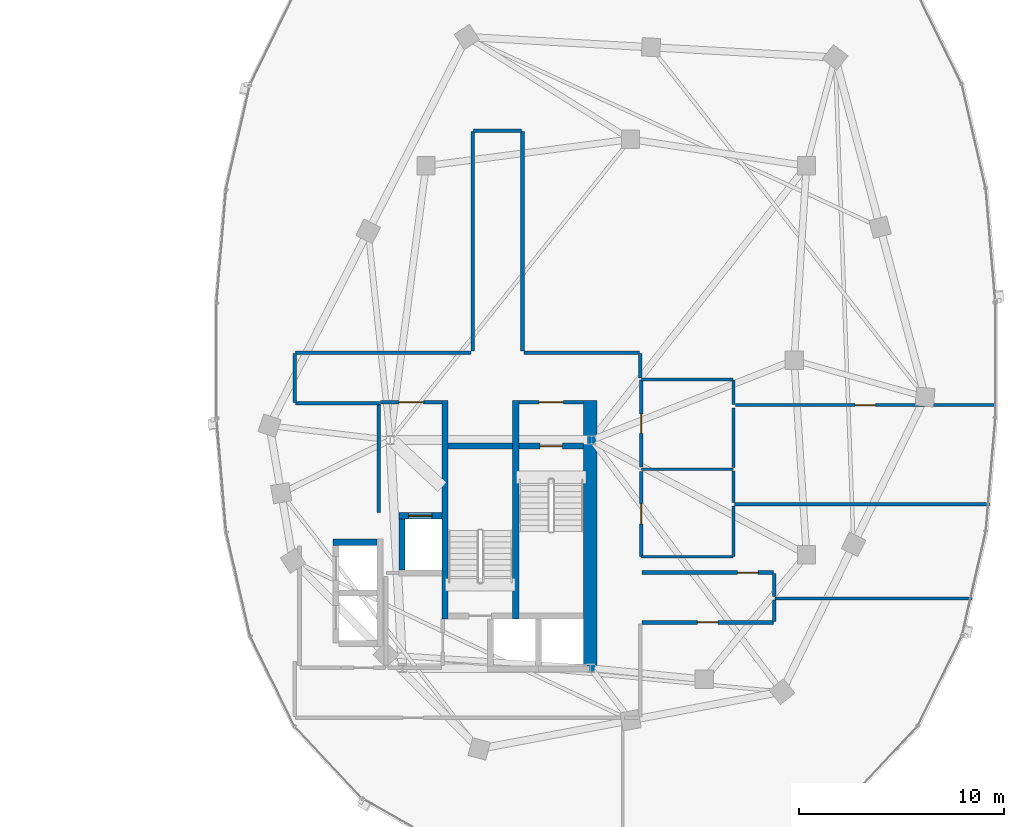
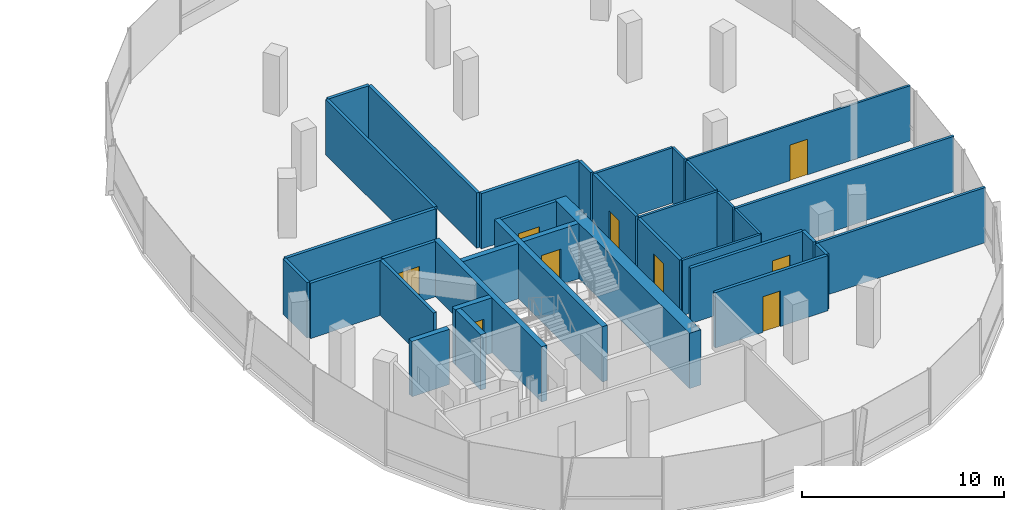
# One storey, part 17 of 25: 35 walls, 9 doors, 9 openings.
"""IFC4 building model written with IfcOpenShell, lengths in metres."""

import ifcopenshell
import ifcopenshell.guid

model = None  # the IFC model being written
_history = None  # IfcOwnerHistory: only IFC2X3 demands one
_inside = {}  # id of a spatial element -> (the spatial element, [elements in it])
_under = {}  # id of a project, library or spatial element -> (it, [spatial elements below it])
_declared = {}  # id of a project -> (the project, [libraries it declares])
_typed = {}  # id of a type object -> (the type object, [elements of that type])
_made_of = {}  # id of a material, layer set ... -> (it, [elements and type objects made of it])


def new_model(schema):
    """Start an empty IFC model of exactly this schema.

    Asked for "IFC4X3", IfcOpenShell would pick the latest addendum, in which some entities
    have other attributes; the version numbers below select the first issue.
    IFC2X3 requires an IfcOwnerHistory on every rooted entity: one is made here for all.
    """
    global model, _history
    if schema == "IFC4X3":
        model = ifcopenshell.file(schema_version=(4, 3, 0, 0))
    else:
        model = ifcopenshell.file(schema=schema)
    _inside.clear()
    _under.clear()
    _declared.clear()
    _typed.clear()
    _made_of.clear()
    _history = None
    if model.schema == "IFC2X3":
        org = make("IfcOrganization", Name="unknown")
        user = make(
            "IfcPersonAndOrganization",
            ThePerson=make("IfcPerson", FamilyName="unknown"),
            TheOrganization=org,
        )
        app = make(
            "IfcApplication",
            ApplicationDeveloper=org,
            Version="unknown",
            ApplicationFullName="unknown",
            ApplicationIdentifier="unknown",
        )
        _history = make(
            "IfcOwnerHistory",
            OwningUser=user,
            OwningApplication=app,
            ChangeAction="ADDED",
            CreationDate=0,
        )
    return model


def make(cls, **values):
    """One entity of the class cls with the attributes given. An attribute that is None is left unset."""
    return model.create_entity(
        cls, **{name: value for name, value in values.items() if value is not None}
    )


def rooted(cls, **values):
    """An entity with a GlobalId (a new one), such as an element, a storey or a relation."""
    return make(cls, GlobalId=ifcopenshell.guid.new(), OwnerHistory=_history, **values)


def si_unit(unit_type, name, prefix=None):
    """IfcSIUnit, for example si_unit("LENGTHUNIT", "METRE", prefix="MILLI")."""
    return make("IfcSIUnit", UnitType=unit_type, Prefix=prefix, Name=name)


def assignment(units):
    """IfcUnitAssignment: the units of a project."""
    return None if units is None else make("IfcUnitAssignment", Units=units)


def point(xyz):
    """IfcCartesianPoint."""
    return None if xyz is None else make("IfcCartesianPoint", Coordinates=xyz)


def direction(xyz):
    """IfcDirection."""
    return None if xyz is None else make("IfcDirection", DirectionRatios=xyz)


def frame(location, z_axis=None, x_axis=None):
    """IfcAxis2Placement3D, a coordinate frame: its origin and axes. An axis left out is left unset."""
    return make(
        "IfcAxis2Placement3D",
        Location=point(location),
        Axis=direction(z_axis),
        RefDirection=direction(x_axis),
    )


def frame_2d(location, x_axis=None):
    """IfcAxis2Placement2D, a coordinate frame in the plane: its origin and x axis."""
    return make(
        "IfcAxis2Placement2D", Location=point(location), RefDirection=direction(x_axis)
    )


def origin():
    """The frame at (0, 0, 0) with its axes left unset."""
    return frame((0.0, 0.0, 0.0))


def place(relative_to, where):
    """IfcLocalPlacement: puts the frame where relative to a parent placement (None: the world)."""
    return make(
        "IfcLocalPlacement", PlacementRelTo=relative_to, RelativePlacement=where
    )


def context(
    kind, dimensions, precision=None, world=None, true_north=None, identifier=None
):
    """IfcGeometricRepresentationContext, for example the 3D "Model" context."""
    return make(
        "IfcGeometricRepresentationContext",
        ContextIdentifier=identifier,
        ContextType=kind,
        CoordinateSpaceDimension=dimensions,
        Precision=precision,
        WorldCoordinateSystem=world,
        TrueNorth=true_north,
    )


def subcontext(parent, identifier, kind, view, scale=None):
    """IfcGeometricRepresentationSubContext, for example "Body" below "Model"."""
    return make(
        "IfcGeometricRepresentationSubContext",
        ContextIdentifier=identifier,
        ContextType=kind,
        ParentContext=parent,
        TargetScale=scale,
        TargetView=view,
    )


def project(units=None, contexts=None):
    """IfcProject with its units and contexts."""
    return rooted(
        "IfcProject",
        Name="project",
        RepresentationContexts=contexts,
        UnitsInContext=assignment(units),
    )


def spatial(cls, under=None, at=None, **own):
    """A site, building, storey or space (cls), placed at a placement, below another one or the project."""
    s = rooted(cls, ObjectPlacement=at, **own)
    if under is not None:
        _under.setdefault(under.id(), (under, []))[1].append(s)
    return s


def profile(cls, at=None, kind="AREA", **sizes):
    """A parametric profile (cls). Its sizes go by their IFC names, for example OverallWidth=200.0."""
    return make(cls, ProfileType=kind, Position=at, **sizes)


def rectangle(**sizes):
    """IfcRectangleProfileDef."""
    return profile("IfcRectangleProfileDef", **sizes)


def extrude(swept, where, along, depth):
    """IfcExtrudedAreaSolid: the profile swept, set in the frame where, extruded along a direction by depth."""
    return make(
        "IfcExtrudedAreaSolid",
        SweptArea=swept,
        Position=where,
        ExtrudedDirection=direction(along),
        Depth=depth,
    )


def shape(context_of_items, identifier, shape_type, items):
    """IfcShapeRepresentation: the items that make up one representation, for example the "Body"."""
    return make(
        "IfcShapeRepresentation",
        ContextOfItems=context_of_items,
        RepresentationIdentifier=identifier,
        RepresentationType=shape_type,
        Items=items,
    )


def material(Name=None, Category=None):
    """IfcMaterial."""
    return make("IfcMaterial", Name=Name, Category=Category)


def layer(
    of_material, thickness, ventilated=None, Name=None, Category=None, Priority=None
):
    """IfcMaterialLayer: one layer of a wall or slab, of a material (None: an air gap)."""
    return make(
        "IfcMaterialLayer",
        Material=of_material,
        LayerThickness=thickness,
        IsVentilated=ventilated,
        Name=Name,
        Category=Category,
        Priority=Priority,
    )


def layer_set(layers, Name=None):
    """IfcMaterialLayerSet."""
    return make("IfcMaterialLayerSet", MaterialLayers=layers, LayerSetName=Name)


def made_of(thing, what):
    """Note that an element or type object is made of a material, layer set ...; save() writes the relation."""
    if what is not None:
        _made_of.setdefault(what.id(), (what, []))[1].append(thing)
    return thing


def type_object(cls, material=None, **own):
    """A type object (cls), such as IfcWallType, which elements share."""
    return made_of(rooted(cls, **own), material)


def element(
    cls,
    number,
    at=None,
    inside=None,
    cuts=None,
    type_object=None,
    material=None,
    context=None,
    identifier="Body",
    shape_type=None,
    held_by="IfcProductDefinitionShape",
    body=None,
    shapes=None,
    **own,
):
    """One element of the class cls, such as IfcWall. Its Tag is "e" and its number.

    at: its placement. inside: the storey or other place that contains it. cuts: it is an
    opening in that element (IfcRelVoidsElement). A single representation is given by context,
    identifier, shape_type and body (its items); several are given by shapes. held_by: the class
    of the entity that holds the representations. save() writes the other relations.
    """
    e = rooted(cls, Tag="e%d" % number, ObjectPlacement=at, **own)
    if body is not None:
        shapes = [shape(context, identifier, shape_type, body)]
    if shapes is not None:
        e.Representation = make(held_by, Representations=shapes)
    if inside is not None:
        _inside.setdefault(inside.id(), (inside, []))[1].append(e)
    if cuts is not None:
        rooted(
            "IfcRelVoidsElement", RelatingBuildingElement=cuts, RelatedOpeningElement=e
        )
    if type_object is not None:
        _typed.setdefault(type_object.id(), (type_object, []))[1].append(e)
    return made_of(e, material)


def fill(opening, filler):
    """IfcRelFillsElement: the door or window that sits in an opening."""
    return rooted(
        "IfcRelFillsElement",
        RelatingOpeningElement=opening,
        RelatedBuildingElement=filler,
    )


def aggregate(whole, parts):
    """IfcRelAggregates: a whole, such as a stair, and the parts it consists of."""
    return rooted("IfcRelAggregates", RelatingObject=whole, RelatedObjects=parts)


def save(model, path):
    """Write the relations noted so far, then the file.

    IfcRelAggregates (storeys below a building ...), IfcRelContainedInSpatialStructure (elements
    in a storey), IfcRelDefinesByType, IfcRelAssociatesMaterial and IfcRelDeclares: one each for
    every whole, place, type object, material and project.
    """
    for whole, parts in _under.values():
        aggregate(whole, parts)
    for where, things in _inside.values():
        rooted(
            "IfcRelContainedInSpatialStructure",
            RelatedElements=things,
            RelatingStructure=where,
        )
    for kind, things in _typed.values():
        rooted("IfcRelDefinesByType", RelatedObjects=things, RelatingType=kind)
    for what, things in _made_of.values():
        rooted("IfcRelAssociatesMaterial", RelatedObjects=things, RelatingMaterial=what)
    for by, libraries in _declared.values():
        rooted("IfcRelDeclares", RelatingContext=by, RelatedDefinitions=libraries)
    model.write(path)


model = new_model("IFC4")

# Units and contexts
model_context = context("Model", 3, precision=1e-05, world=origin(), true_north=direction((0.0, 1.0)))
body_context = subcontext(model_context, "Body", "Model", "MODEL_VIEW")
ifc_project = project(units=[si_unit("LENGTHUNIT", "METRE"), si_unit("AREAUNIT", "SQUARE_METRE"), si_unit("VOLUMEUNIT", "CUBIC_METRE"), si_unit("PLANEANGLEUNIT", "RADIAN"), si_unit("MASSUNIT", "GRAM", prefix="KILO"), si_unit("THERMODYNAMICTEMPERATUREUNIT", "KELVIN"), si_unit("POWERUNIT", "WATT")], contexts=[model_context])

# Site, building, storey
site_placement = place(None, origin())
site = spatial("IfcSite", under=ifc_project, at=site_placement, CompositionType="ELEMENT")
building_placement = place(site_placement, origin())
building = spatial("IfcBuilding", under=site, at=building_placement, Name="Cundina Bronze Exchange", CompositionType="ELEMENT")
storey_placement = place(building_placement, frame((0.0, 0.0, 199.0)))
storey = spatial("IfcBuildingStorey", under=building, at=storey_placement, Name="L52", CompositionType="ELEMENT", Elevation=199.0)

# Wall
ifc_material_1 = material(Name="Gypsum Fireboard Partition EI120")
ifc_layer_1 = layer(ifc_material_1, 0.179931640625, Name="Gypsum Fireboard Partition EI120")
ifc_layer_set_1 = layer_set([ifc_layer_1], Name="Gypsum Fireboard Partition EI120")
wall_type_1 = type_object("IfcWallType", Name="WL-COR-180", PredefinedType="PARTITIONING", material=ifc_layer_set_1)
wall_1_placement = place(storey_placement, frame((20.889892578125, -7.449951171875, 0.0), z_axis=(0.0, 0.0, 1.0), x_axis=(0.0, 1.0, 0.0)))
element("IfcWall", 1, at=wall_1_placement, inside=storey, type_object=wall_type_1, Name="L52 E Firefighting Lobby Side Wall", PredefinedType="PARTITIONING", context=body_context, shape_type="SweptSolid", body=[
    extrude(rectangle(XDim=5.300048828125, YDim=0.179931640625, at=frame_2d((2.64990234375, 0.0))), origin(), (0.0, 0.0, 1.0), 3.340087890625),
])

# Wall, opening, door
wall_2_placement = place(storey_placement, frame((20.97998046875, -2.06005859375, 0.0), z_axis=(0.0, 0.0, 1.0), x_axis=(1.0, 0.0, 0.0)))
wall_2 = element("IfcWall", 2, at=wall_2_placement, inside=storey, type_object=wall_type_1, Name="L52 E Firefighting Lobby Exit Wall", PredefinedType="PARTITIONING", context=body_context, shape_type="SweptSolid", body=[
    extrude(rectangle(XDim=3.0, YDim=0.179931640625, at=frame_2d((1.5, 0.0))), origin(), (0.0, 0.0, 1.0), 3.340087890625),
])
opening_1_placement = place(wall_2_placement, frame((0.89990234375, 0.0, 0.0)))
opening_1 = element("IfcOpeningElement", 3, at=opening_1_placement, cuts=wall_2, Name="Opening DF-01", PredefinedType="OPENING", context=body_context, shape_type="SweptSolid", body=[
    extrude(rectangle(XDim=1.199951171875, YDim=2.14990234375, at=frame_2d((0.60009765625, 1.074951171875))), frame((0.0, 0.099853515625, 0.0), z_axis=(0.0, -1.0, 0.0), x_axis=(1.0, 0.0, 0.0)), (0.0, 0.0, 1.0), 0.199951171875),
])
ifc_material_2 = material(Name="Steel ASTM A36 Painted", Category="steel")
door_type_1 = type_object("IfcDoorType", Name="DR-FFL-1200", OperationType="NOTDEFINED", PredefinedType="DOOR", material=ifc_material_2)
door_1_placement = place(opening_1_placement, origin())
door_1 = element("IfcDoor", 4, at=door_1_placement, inside=storey, type_object=door_type_1, Name="L52 E Firefighting Lobby Door", OperationType="SINGLE_SWING_LEFT", OverallHeight=2.14990234375, OverallWidth=1.199951171875, PredefinedType="DOOR", context=body_context, shape_type="SweptSolid", body=[
    extrude(rectangle(XDim=1.199951171875, YDim=2.14990234375, at=frame_2d((0.60009765625, 1.074951171875))), frame((0.0, 0.02490234375, 0.0), z_axis=(0.0, -1.0, 0.0), x_axis=(1.0, 0.0, 0.0)), (0.0, 0.0, 1.0), 0.050048828125),
])
fill(opening_1, door_1)

wall_3_placement = place(storey_placement, frame((27.739990234375, -2.06005859375, 0.0), z_axis=(0.0, 0.0, 1.0), x_axis=(1.0, 0.0, 0.0)))
wall_3 = element("IfcWall", 5, at=wall_3_placement, inside=storey, type_object=wall_type_1, Name="L52 E Stair Vestibule Exit Wall", PredefinedType="PARTITIONING", context=body_context, shape_type="SweptSolid", body=[
    extrude(rectangle(XDim=3.159912109375, YDim=0.179931640625, at=frame_2d((1.580078125, 0.0))), origin(), (0.0, 0.0, 1.0), 3.340087890625),
])
opening_2_placement = place(wall_3_placement, frame((0.97998046875, 0.0, 0.0)))
opening_2 = element("IfcOpeningElement", 6, at=opening_2_placement, cuts=wall_3, Name="Opening DF-01", PredefinedType="OPENING", context=body_context, shape_type="SweptSolid", body=[
    extrude(rectangle(XDim=1.199951171875, YDim=2.14990234375, at=frame_2d((0.60009765625, 1.074951171875))), frame((0.0, 0.099853515625, 0.0), z_axis=(0.0, -1.0, 0.0), x_axis=(1.0, 0.0, 0.0)), (0.0, 0.0, 1.0), 0.199951171875),
])
door_2_placement = place(opening_2_placement, origin())
door_2 = element("IfcDoor", 7, at=door_2_placement, inside=storey, type_object=door_type_1, Name="L52 E Stair Vestibule Door", OperationType="SINGLE_SWING_RIGHT", OverallHeight=2.14990234375, OverallWidth=1.199951171875, PredefinedType="DOOR", context=body_context, shape_type="SweptSolid", body=[
    extrude(rectangle(XDim=1.199951171875, YDim=2.14990234375, at=frame_2d((0.60009765625, 1.074951171875))), frame((0.0, 0.02490234375, 0.0), z_axis=(0.0, -1.0, 0.0), x_axis=(1.0, 0.0, 0.0)), (0.0, 0.0, 1.0), 0.050048828125),
])
fill(opening_2, door_2)

wall_4_placement = place(storey_placement, frame((33.719970703125, -5.22998046875, 0.0), z_axis=(0.0, 0.0, 1.0), x_axis=(0.0, 1.0, 0.0)))
wall_4 = element("IfcWall", 8, at=wall_4_placement, inside=storey, type_object=wall_type_1, Name="L52 Interior Partition 054", PredefinedType="PARTITIONING", context=body_context, shape_type="SweptSolid", body=[
    extrude(rectangle(XDim=4.260009765625, YDim=0.179931640625, at=frame_2d((2.1298828125, 0.0))), origin(), (0.0, 0.0, 1.0), 3.340087890625),
])
opening_3_placement = place(wall_4_placement, frame((1.655029296875, 0.0, 0.0)))
opening_3 = element("IfcOpeningElement", 9, at=opening_3_placement, cuts=wall_4, Name="Opening DW-01", PredefinedType="OPENING", context=body_context, shape_type="SweptSolid", body=[
    extrude(rectangle(XDim=0.949951171875, YDim=2.10009765625, at=frame_2d((0.47509765625, 1.050048828125))), frame((0.0, 0.099853515625, 0.0), z_axis=(0.0, -1.0, 0.0), x_axis=(1.0, 0.0, 0.0)), (0.0, 0.0, 1.0), 0.199951171875),
])
ifc_material_3 = material(Name="Solid Andean Oak Timber Grade A", Category="wood")
door_type_2 = type_object("IfcDoorType", Name="DR-WC-950", OperationType="NOTDEFINED", PredefinedType="DOOR", material=ifc_material_3)
door_3_placement = place(opening_3_placement, origin())
door_3 = element("IfcDoor", 10, at=door_3_placement, inside=storey, type_object=door_type_2, Name="L52 Interior Door 054", OperationType="SINGLE_SWING_RIGHT", OverallHeight=2.10009765625, OverallWidth=0.949951171875, PredefinedType="DOOR", context=body_context, shape_type="SweptSolid", body=[
    extrude(rectangle(XDim=0.949951171875, YDim=2.10009765625, at=frame_2d((0.47509765625, 1.050048828125))), frame((0.0, 0.02490234375, 0.0), z_axis=(0.0, -1.0, 0.0), x_axis=(1.0, 0.0, 0.0)), (0.0, 0.0, 1.0), 0.050048828125),
])
fill(opening_3, door_3)

wall_5_placement = place(storey_placement, frame((33.719970703125, -9.590087890625, 0.0), z_axis=(0.0, 0.0, 1.0), x_axis=(0.0, 1.0, 0.0)))
wall_5 = element("IfcWall", 11, at=wall_5_placement, inside=storey, type_object=wall_type_1, Name="L52 Interior Partition 055", PredefinedType="PARTITIONING", context=body_context, shape_type="SweptSolid", body=[
    extrude(rectangle(XDim=4.16015625, YDim=0.179931640625, at=frame_2d((2.080078125, 0.0))), origin(), (0.0, 0.0, 1.0), 3.340087890625),
])
opening_4_placement = place(wall_5_placement, frame((1.580078125, 0.0, 0.0)))
opening_4 = element("IfcOpeningElement", 12, at=opening_4_placement, cuts=wall_5, Name="Opening DO-01", PredefinedType="OPENING", context=body_context, shape_type="SweptSolid", body=[
    extrude(rectangle(XDim=1.0, YDim=2.14990234375, at=frame_2d((0.5, 1.074951171875))), frame((0.0, 0.099853515625, 0.0), z_axis=(0.0, -1.0, 0.0), x_axis=(1.0, 0.0, 0.0)), (0.0, 0.0, 1.0), 0.199951171875),
])
door_type_3 = type_object("IfcDoorType", Name="DR-OFF-1000", OperationType="NOTDEFINED", PredefinedType="DOOR", material=ifc_material_3)
door_4_placement = place(opening_4_placement, origin())
door_4 = element("IfcDoor", 13, at=door_4_placement, inside=storey, type_object=door_type_3, Name="L52 Interior Door 055", OperationType="SINGLE_SWING_RIGHT", OverallHeight=2.14990234375, OverallWidth=1.0, PredefinedType="DOOR", context=body_context, shape_type="SweptSolid", body=[
    extrude(rectangle(XDim=1.0, YDim=2.14990234375, at=frame_2d((0.5, 1.074951171875))), frame((0.0, 0.02490234375, 0.0), z_axis=(0.0, -1.0, 0.0), x_axis=(1.0, 0.0, 0.0)), (0.0, 0.0, 1.0), 0.050048828125),
])
fill(opening_4, door_4)

wall_6_placement = place(storey_placement, frame((33.75, -12.820068359375, 0.0), z_axis=(0.0, 0.0, 1.0), x_axis=(1.0, 0.0, 0.0)))
wall_6 = element("IfcWall", 14, at=wall_6_placement, inside=storey, type_object=wall_type_1, Name="L52 Interior Partition 059", PredefinedType="PARTITIONING", context=body_context, shape_type="SweptSolid", body=[
    extrude(rectangle(XDim=6.428466796875, YDim=0.179931640625, at=frame_2d((3.21435546875, 0.0))), origin(), (0.0, 0.0, 1.0), 3.340087890625),
])
opening_5_placement = place(wall_6_placement, frame((2.714111328125, 0.0, 0.0)))
opening_5 = element("IfcOpeningElement", 15, at=opening_5_placement, cuts=wall_6, Name="Opening DO-01", PredefinedType="OPENING", context=body_context, shape_type="SweptSolid", body=[
    extrude(rectangle(XDim=1.0, YDim=2.14990234375, at=frame_2d((0.5, 1.074951171875))), frame((0.0, 0.099853515625, 0.0), z_axis=(0.0, -1.0, 0.0), x_axis=(1.0, 0.0, 0.0)), (0.0, 0.0, 1.0), 0.199951171875),
])
door_5_placement = place(opening_5_placement, origin())
door_5 = element("IfcDoor", 16, at=door_5_placement, inside=storey, type_object=door_type_3, Name="L52 Interior Door 059", OperationType="SINGLE_SWING_RIGHT", OverallHeight=2.14990234375, OverallWidth=1.0, PredefinedType="DOOR", context=body_context, shape_type="SweptSolid", body=[
    extrude(rectangle(XDim=1.0, YDim=2.14990234375, at=frame_2d((0.5, 1.074951171875))), frame((0.0, 0.02490234375, 0.0), z_axis=(0.0, -1.0, 0.0), x_axis=(1.0, 0.0, 0.0)), (0.0, 0.0, 1.0), 0.050048828125),
])
fill(opening_5, door_5)

# Wall
wall_7_placement = place(storey_placement, frame((40.219970703125, -12.778564453125, 0.0), z_axis=(0.0, 0.0, 1.0), x_axis=(0.0, 1.0, 0.0)))
element("IfcWall", 17, at=wall_7_placement, inside=storey, type_object=wall_type_1, Name="L52 Interior Partition 061", PredefinedType="PARTITIONING", context=body_context, shape_type="SweptSolid", body=[
    extrude(rectangle(XDim=1.048583984375, YDim=0.179931640625, at=frame_2d((0.5244140625, 0.0))), origin(), (0.0, 0.0, 1.0), 3.340087890625),
])

# Wall, opening, door
wall_8_placement = place(storey_placement, frame((40.178466796875, -10.3798828125, 0.0), z_axis=(0.0, 0.0, 1.0), x_axis=(-1.0, 0.0, 0.0)))
wall_8 = element("IfcWall", 18, at=wall_8_placement, inside=storey, type_object=wall_type_1, Name="L52 Interior Partition 063", PredefinedType="PARTITIONING", context=body_context, shape_type="SweptSolid", body=[
    extrude(rectangle(XDim=6.428466796875, YDim=0.179931640625, at=frame_2d((3.21435546875, 0.0))), origin(), (0.0, 0.0, 1.0), 3.340087890625),
])
opening_6_placement = place(wall_8_placement, frame((0.74267578125, 0.0, 0.0)))
opening_6 = element("IfcOpeningElement", 19, at=opening_6_placement, cuts=wall_8, Name="Opening DO-01", PredefinedType="OPENING", context=body_context, shape_type="SweptSolid", body=[
    extrude(rectangle(XDim=1.0, YDim=2.14990234375, at=frame_2d((0.5, 1.074951171875))), frame((0.0, 0.099853515625, 0.0), z_axis=(0.0, -1.0, 0.0), x_axis=(1.0, 0.0, 0.0)), (0.0, 0.0, 1.0), 0.199951171875),
])
door_6_placement = place(opening_6_placement, origin())
door_6 = element("IfcDoor", 20, at=door_6_placement, inside=storey, type_object=door_type_3, Name="L52 Interior Door 063", OperationType="SINGLE_SWING_LEFT", OverallHeight=2.14990234375, OverallWidth=1.0, PredefinedType="DOOR", context=body_context, shape_type="SweptSolid", body=[
    extrude(rectangle(XDim=1.0, YDim=2.14990234375, at=frame_2d((0.5, 1.074951171875))), frame((0.0, 0.02490234375, 0.0), z_axis=(0.0, -1.0, 0.0), x_axis=(1.0, 0.0, 0.0)), (0.0, 0.0, 1.0), 0.050048828125),
])
fill(opening_6, door_6)

# Walls
wall_9_placement = place(storey_placement, frame((40.219970703125, -11.550048828125, 0.0), z_axis=(0.0, 0.0, 1.0), x_axis=(0.0, 1.0, 0.0)))
element("IfcWall", 21, at=wall_9_placement, inside=storey, type_object=wall_type_1, Name="L52 Interior Partition 064", PredefinedType="PARTITIONING", context=body_context, shape_type="SweptSolid", body=[
    extrude(rectangle(XDim=1.128662109375, YDim=0.179931640625, at=frame_2d((0.564453125, 0.0))), origin(), (0.0, 0.0, 1.0), 3.340087890625),
])
for number, where, z_axis, x_axis, name in (
    (22, (27.919921875, 0.449951171875, 0.0), (0.0, 0.0, 1.0), (0.0, 1.0, 0.0), "L52 Interior Partition 066"),
    (23, (25.47998046875, 11.178466796875, 0.0), (0.0, 0.0, 1.0), (0.0, -1.0, 0.0), "L52 Interior Partition 067"),
):
    element("IfcWall", number, at=place(storey_placement, frame(where, z_axis=z_axis, x_axis=x_axis)), inside=storey, type_object=wall_type_1, Name=name, PredefinedType="PARTITIONING", context=body_context, shape_type="SweptSolid", body=[
        extrude(rectangle(XDim=10.728515625, YDim=0.179931640625, at=frame_2d((5.3642578125, 0.0))), origin(), (0.0, 0.0, 1.0), 3.340087890625),
    ])
wall_10_placement = place(storey_placement, frame((25.39990234375, 0.3701171875, 0.0), z_axis=(0.0, 0.0, 1.0), x_axis=(-1.0, 0.0, 0.0)))
element("IfcWall", 24, at=wall_10_placement, inside=storey, type_object=wall_type_1, Name="L52 Interior Partition 068", PredefinedType="PARTITIONING", context=body_context, shape_type="SweptSolid", body=[
    extrude(rectangle(XDim=8.578369140625, YDim=0.179931640625, at=frame_2d((4.2890625, 0.0))), origin(), (0.0, 0.0, 1.0), 3.340087890625),
])
wall_11_placement = place(storey_placement, frame((33.62841796875, 0.3701171875, 0.0), z_axis=(0.0, 0.0, 1.0), x_axis=(-1.0, 0.0, 0.0)))
element("IfcWall", 25, at=wall_11_placement, inside=storey, type_object=wall_type_1, Name="L52 Interior Partition 069", PredefinedType="PARTITIONING", context=body_context, shape_type="SweptSolid", body=[
    extrude(rectangle(XDim=5.62841796875, YDim=0.179931640625, at=frame_2d((2.814208984375, 0.0))), origin(), (0.0, 0.0, 1.0), 3.340087890625),
])
wall_12_placement = place(storey_placement, frame((16.821533203125, -2.10009765625, 0.0), z_axis=(0.0, 0.0, 1.0), x_axis=(1.0, 0.0, 0.0)))
element("IfcWall", 26, at=wall_12_placement, inside=storey, type_object=wall_type_1, Name="L52 Interior Partition 070", PredefinedType="PARTITIONING", context=body_context, shape_type="SweptSolid", body=[
    extrude(rectangle(XDim=4.098388671875, YDim=0.179931640625, at=frame_2d((2.04931640625, 0.0))), origin(), (0.0, 0.0, 1.0), 3.340087890625),
])
wall_13_placement = place(storey_placement, frame((16.780029296875, 0.32861328125, 0.0), z_axis=(0.0, 0.0, 1.0), x_axis=(0.0, -1.0, 0.0)))
element("IfcWall", 27, at=wall_13_placement, inside=storey, type_object=wall_type_1, Name="L52 Interior Partition 072", PredefinedType="PARTITIONING", context=body_context, shape_type="SweptSolid", body=[
    extrude(rectangle(XDim=2.38720703125, YDim=0.179931640625, at=frame_2d((1.193603515625, 0.0))), origin(), (0.0, 0.0, 1.0), 3.340087890625),
])
wall_14_placement = place(storey_placement, frame((27.87841796875, 11.219970703125, 0.0), z_axis=(0.0, 0.0, 1.0), x_axis=(-1.0, 0.0, 0.0)))
element("IfcWall", 28, at=wall_14_placement, inside=storey, type_object=wall_type_1, Name="L52 Interior Partition 073", PredefinedType="PARTITIONING", context=body_context, shape_type="SweptSolid", body=[
    extrude(rectangle(XDim=2.35693359375, YDim=0.179931640625, at=frame_2d((1.178466796875, 0.0))), origin(), (0.0, 0.0, 1.0), 3.340087890625),
])
wall_15_placement = place(storey_placement, frame((33.669921875, -0.858642578125, 0.0), z_axis=(0.0, 0.0, 1.0), x_axis=(0.0, 1.0, 0.0)))
element("IfcWall", 29, at=wall_15_placement, inside=storey, type_object=wall_type_1, Name="L52 Interior Partition 074", PredefinedType="PARTITIONING", context=body_context, shape_type="SweptSolid", body=[
    extrude(rectangle(XDim=1.187255859375, YDim=0.179931640625, at=frame_2d((0.59375, 0.0))), origin(), (0.0, 0.0, 1.0), 3.340087890625),
])
ifc_material_4 = material(Name="Concrete C50/60", Category="concrete")
ifc_layer_2 = layer(ifc_material_4, 0.64990234375, Name="Concrete C50/60", Category="concrete")
ifc_layer_set_2 = layer_set([ifc_layer_2], Name="Concrete C50/60")
wall_type_2 = type_object("IfcWallType", Name="WL-CORE-650", PredefinedType="SHEAR", material=ifc_layer_set_2)
wall_16_placement = place(storey_placement, frame((31.22509765625, -15.300048828125, 0.0), z_axis=(0.0, 0.0, 1.0), x_axis=(0.0, 1.0, 0.0)))
element("IfcWall", 30, at=wall_16_placement, inside=storey, type_object=wall_type_2, Name="L52 E Primary Core Shear Spine Wall", PredefinedType="SHEAR", context=body_context, shape_type="SweptSolid", body=[
    extrude(rectangle(XDim=13.330078125, YDim=0.64990234375, at=frame_2d((6.6650390625, 0.0))), origin(), (0.0, 0.0, 1.0), 3.340087890625),
])

# Wall, opening, door
ifc_material_5 = material(Name="Gypsum Acoustic Partition EI60")
ifc_layer_3 = layer(ifc_material_5, 0.125, Name="Gypsum Acoustic Partition EI60")
ifc_layer_set_3 = layer_set([ifc_layer_3], Name="Gypsum Acoustic Partition EI60")
wall_type_3 = type_object("IfcWallType", Name="WL-OFF-125", PredefinedType="PARTITIONING", material=ifc_layer_set_3)
wall_17_placement = place(storey_placement, frame((38.320068359375, -2.18994140625, 0.0), z_axis=(0.0, 0.0, 1.0), x_axis=(1.0, 0.0, 0.0)))
wall_17 = element("IfcWall", 31, at=wall_17_placement, inside=storey, type_object=wall_type_3, Name="L52 Interior Partition 075", PredefinedType="PARTITIONING", context=body_context, shape_type="SweptSolid", body=[
    extrude(rectangle(XDim=12.72900390625, YDim=0.125, at=frame_2d((6.364501953125, 0.0))), origin(), (0.0, 0.0, 1.0), 3.340087890625),
])
opening_7_placement = place(wall_17_placement, frame((5.864501953125, 0.0, 0.0)))
opening_7 = element("IfcOpeningElement", 32, at=opening_7_placement, cuts=wall_17, Name="Opening DO-01", PredefinedType="OPENING", context=body_context, shape_type="SweptSolid", body=[
    extrude(rectangle(XDim=1.0, YDim=2.14990234375, at=frame_2d((0.5, 1.074951171875))), frame((0.0, 0.072509765625, 0.0), z_axis=(0.0, -1.0, 0.0), x_axis=(1.0, 0.0, 0.0)), (0.0, 0.0, 1.0), 0.14501953125),
])
door_7_placement = place(opening_7_placement, origin())
door_7 = element("IfcDoor", 33, at=door_7_placement, inside=storey, type_object=door_type_3, Name="L52 Interior Door 075", OperationType="SINGLE_SWING_RIGHT", OverallHeight=2.14990234375, OverallWidth=1.0, PredefinedType="DOOR", context=body_context, shape_type="SweptSolid", body=[
    extrude(rectangle(XDim=1.0, YDim=2.14990234375, at=frame_2d((0.5, 1.074951171875))), frame((0.0, 0.02490234375, 0.0), z_axis=(0.0, -1.0, 0.0), x_axis=(1.0, 0.0, 0.0)), (0.0, 0.0, 1.0), 0.050048828125),
])
fill(opening_7, door_7)

# Walls
ifc_layer_4 = layer(ifc_material_4, 0.300048828125, Name="Concrete C50/60", Category="concrete")
ifc_layer_set_4 = layer_set([ifc_layer_4], Name="Concrete C50/60")
wall_type_4 = type_object("IfcWallType", Name="WL-SHFT-300", PredefinedType="SHEAR", material=ifc_layer_set_4)
for number, where, z_axis, x_axis, name in (
    (34, (27.590087890625, -12.64990234375, 0.0), (0.0, 0.0, 1.0), (0.0, 1.0, 0.0), "L52 E Stair Shaft Dividing Shear Wall"),
    (35, (24.1298828125, -12.64990234375, 0.0), (0.0, 0.0, 1.0), (0.0, 1.0, 0.0), "L52 E Stair 2 East Shear Wall"),
):
    element("IfcWall", number, at=place(storey_placement, frame(where, z_axis=z_axis, x_axis=x_axis)), inside=storey, type_object=wall_type_4, Name=name, PredefinedType="SHEAR", context=body_context, shape_type="SweptSolid", body=[
        extrude(rectangle(XDim=10.679931640625, YDim=0.300048828125, at=frame_2d((5.33984375, 0.0))), origin(), (0.0, 0.0, 1.0), 3.340087890625),
    ])

# Wall, opening, door
wall_18_placement = place(storey_placement, frame((27.739990234375, -4.199951171875, 0.0), z_axis=(0.0, 0.0, 1.0), x_axis=(1.0, 0.0, 0.0)))
wall_18 = element("IfcWall", 36, at=wall_18_placement, inside=storey, type_object=wall_type_4, Name="L52 Stair E1 Landing Wall", PredefinedType="SHEAR", context=body_context, shape_type="SweptSolid", body=[
    extrude(rectangle(XDim=3.159912109375, YDim=0.300048828125, at=frame_2d((1.580078125, 0.0))), origin(), (0.0, 0.0, 1.0), 3.340087890625),
])
opening_8_placement = place(wall_18_placement, frame((1.030029296875, 0.0, 0.0)))
opening_8 = element("IfcOpeningElement", 37, at=opening_8_placement, cuts=wall_18, Name="Opening DS-01", PredefinedType="OPENING", context=body_context, shape_type="SweptSolid", body=[
    extrude(rectangle(XDim=1.10009765625, YDim=2.14990234375, at=frame_2d((0.550048828125, 1.074951171875))), frame((0.0, 0.159912109375, 0.0), z_axis=(0.0, -1.0, 0.0), x_axis=(1.0, 0.0, 0.0)), (0.0, 0.0, 1.0), 0.320068359375),
])
door_type_4 = type_object("IfcDoorType", Name="DR-STR-1100", OperationType="NOTDEFINED", PredefinedType="DOOR", material=ifc_material_2)
door_8_placement = place(opening_8_placement, origin())
door_8 = element("IfcDoor", 38, at=door_8_placement, inside=storey, type_object=door_type_4, Name="L52 Smokeproof Stair E1 Door", OperationType="SINGLE_SWING_LEFT", OverallHeight=2.14990234375, OverallWidth=1.10009765625, PredefinedType="DOOR", context=body_context, shape_type="SweptSolid", body=[
    extrude(rectangle(XDim=1.10009765625, YDim=2.14990234375, at=frame_2d((0.550048828125, 1.074951171875))), frame((0.0, 0.02490234375, 0.0), z_axis=(0.0, -1.0, 0.0), x_axis=(1.0, 0.0, 0.0)), (0.0, 0.0, 1.0), 0.050048828125),
])
fill(opening_8, door_8)

# Wall
wall_19_placement = place(storey_placement, frame((24.280029296875, -4.199951171875, 0.0), z_axis=(0.0, 0.0, 1.0), x_axis=(1.0, 0.0, 0.0)))
element("IfcWall", 39, at=wall_19_placement, inside=storey, type_object=wall_type_4, Name="L52 Stair E2 Far Shaft Wall", PredefinedType="SHEAR", context=body_context, shape_type="SweptSolid", body=[
    extrude(rectangle(XDim=3.159912109375, YDim=0.300048828125, at=frame_2d((1.580078125, 0.0))), origin(), (0.0, 0.0, 1.0), 3.340087890625),
])

# Wall, opening, door
wall_20_placement = place(storey_placement, frame((21.8798828125, -7.60009765625, 0.0), z_axis=(0.0, 0.0, 1.0), x_axis=(1.0, 0.0, 0.0)))
wall_20 = element("IfcWall", 40, at=wall_20_placement, inside=storey, type_object=wall_type_4, Name="L52 FFL-E Hoistway Front Wall", PredefinedType="SHEAR", context=body_context, shape_type="SweptSolid", body=[
    extrude(rectangle(XDim=2.10009765625, YDim=0.300048828125, at=frame_2d((1.050048828125, 0.0))), origin(), (0.0, 0.0, 1.0), 3.340087890625),
])
opening_9_placement = place(wall_20_placement, frame((0.47509765625, 0.0, 0.0)))
opening_9 = element("IfcOpeningElement", 41, at=opening_9_placement, cuts=wall_20, Name="Opening LD-01", PredefinedType="OPENING", context=body_context, shape_type="SweptSolid", body=[
    extrude(rectangle(XDim=1.14990234375, YDim=2.199951171875, at=frame_2d((0.574951171875, 1.10009765625))), frame((0.0, 0.159912109375, 0.0), z_axis=(0.0, -1.0, 0.0), x_axis=(1.0, 0.0, 0.0)), (0.0, 0.0, 1.0), 0.320068359375),
])
door_type_5 = type_object("IfcDoorType", Name="DR-LND-1150", OperationType="NOTDEFINED", PredefinedType="TRAPDOOR", material=ifc_material_2)
door_9_placement = place(opening_9_placement, origin())
door_9 = element("IfcDoor", 42, at=door_9_placement, inside=storey, type_object=door_type_5, Name="L52 FFL-E Sliding Landing Door", OperationType="SLIDING_TO_LEFT", OverallHeight=2.199951171875, OverallWidth=1.14990234375, PredefinedType="TRAPDOOR", context=body_context, shape_type="SweptSolid", body=[
    extrude(rectangle(XDim=1.14990234375, YDim=2.199951171875, at=frame_2d((0.574951171875, 1.10009765625))), frame((0.0, 0.02490234375, 0.0), z_axis=(0.0, -1.0, 0.0), x_axis=(1.0, 0.0, 0.0)), (0.0, 0.0, 1.0), 0.050048828125),
])
fill(opening_9, door_9)

# Walls
wall_21_placement = place(storey_placement, frame((22.030029296875, -10.25, 0.0), z_axis=(0.0, 0.0, 1.0), x_axis=(0.0, 1.0, 0.0)))
element("IfcWall", 43, at=wall_21_placement, inside=storey, type_object=wall_type_4, Name="L52 FFL-E Hoistway Side Wall", PredefinedType="SHEAR", context=body_context, shape_type="SweptSolid", body=[
    extrude(rectangle(XDim=2.5, YDim=0.300048828125, at=frame_2d((1.25, 0.0))), origin(), (0.0, 0.0, 1.0), 3.340087890625),
])
wall_22_placement = place(storey_placement, frame((18.64990234375, -8.89990234375, 0.0), z_axis=(0.0, 0.0, 1.0), x_axis=(1.0, 0.0, 0.0)))
element("IfcWall", 44, at=wall_22_placement, inside=storey, type_object=wall_type_4, Name="L52 E Passenger Bank North Cap Wall", PredefinedType="SHEAR", context=body_context, shape_type="SweptSolid", body=[
    extrude(rectangle(XDim=2.150146484375, YDim=0.300048828125, at=frame_2d((1.0751953125, 0.0))), origin(), (0.0, 0.0, 1.0), 3.340087890625),
])
ifc_layer_5 = layer(ifc_material_5, 0.14990234375, Name="Gypsum Acoustic Partition EI60")
ifc_layer_set_5 = layer_set([ifc_layer_5], Name="Gypsum Acoustic Partition EI60")
wall_type_5 = type_object("IfcWallType", Name="WL-TEN-150", PredefinedType="PARTITIONING", material=ifc_layer_set_5)
wall_23_placement = place(storey_placement, frame((38.27001953125, -7.0400390625, 0.0), z_axis=(0.0, 0.0, 1.0), x_axis=(1.0, 0.0, 0.0)))
element("IfcWall", 45, at=wall_23_placement, inside=storey, type_object=wall_type_5, Name="L52 Interior Partition 056", PredefinedType="PARTITIONING", context=body_context, shape_type="SweptSolid", body=[
    extrude(rectangle(XDim=12.476318359375, YDim=0.14990234375, at=frame_2d((6.23828125, 0.0))), origin(), (0.0, 0.0, 1.0), 3.340087890625),
])
wall_24_placement = place(storey_placement, frame((40.25, -11.639892578125, 0.0), z_axis=(0.0, 0.0, 1.0), x_axis=(1.0, 0.0, 0.0)))
element("IfcWall", 46, at=wall_24_placement, inside=storey, type_object=wall_type_5, Name="L52 Interior Partition 057", PredefinedType="PARTITIONING", context=body_context, shape_type="SweptSolid", body=[
    extrude(rectangle(XDim=9.637451171875, YDim=0.14990234375, at=frame_2d((4.81884765625, 0.0))), origin(), (0.0, 0.0, 1.0), 3.340087890625),
])
ifc_material_6 = material(Name="Moisture-Resistant Masonry Block Grade M15", Category="masonry")
ifc_layer_6 = layer(ifc_material_6, 0.139892578125, Name="Moisture-Resistant Masonry Block Grade M15", Category="masonry")
ifc_layer_set_6 = layer_set([ifc_layer_6], Name="Moisture-Resistant Masonry Block Grade M15")
wall_type_6 = type_object("IfcWallType", Name="WL-WET-140", PredefinedType="PARTITIONING", material=ifc_layer_set_6)
wall_25_placement = place(storey_placement, frame((38.239990234375, -9.590087890625, 0.0), z_axis=(0.0, 0.0, 1.0), x_axis=(0.0, 1.0, 0.0)))
element("IfcWall", 47, at=wall_25_placement, inside=storey, type_object=wall_type_6, Name="L52 Interior Partition 047", PredefinedType="PARTITIONING", context=body_context, shape_type="SweptSolid", body=[
    extrude(rectangle(XDim=2.465087890625, YDim=0.139892578125, at=frame_2d((1.232421875, 0.0))), origin(), (0.0, 0.0, 1.0), 3.340087890625),
])
wall_26_placement = place(storey_placement, frame((38.239990234375, -6.955078125, 0.0), z_axis=(0.0, 0.0, 1.0), x_axis=(0.0, 1.0, 0.0)))
element("IfcWall", 48, at=wall_26_placement, inside=storey, type_object=wall_type_6, Name="L52 Interior Partition 048", PredefinedType="PARTITIONING", context=body_context, shape_type="SweptSolid", body=[
    extrude(rectangle(XDim=1.5400390625, YDim=0.139892578125, at=frame_2d((0.77001953125, 0.0))), origin(), (0.0, 0.0, 1.0), 3.340087890625),
])
wall_27_placement = place(storey_placement, frame((38.239990234375, -5.2451171875, 0.0), z_axis=(0.0, 0.0, 1.0), x_axis=(0.0, 1.0, 0.0)))
element("IfcWall", 49, at=wall_27_placement, inside=storey, type_object=wall_type_6, Name="L52 Interior Partition 049", PredefinedType="PARTITIONING", context=body_context, shape_type="SweptSolid", body=[
    extrude(rectangle(XDim=2.920166015625, YDim=0.139892578125, at=frame_2d((1.4599609375, 0.0))), origin(), (0.0, 0.0, 1.0), 3.340087890625),
])
wall_28_placement = place(storey_placement, frame((38.239990234375, -2.155029296875, 0.0), z_axis=(0.0, 0.0, 1.0), x_axis=(0.0, 1.0, 0.0)))
element("IfcWall", 50, at=wall_28_placement, inside=storey, type_object=wall_type_6, Name="L52 Interior Partition 050", PredefinedType="PARTITIONING", context=body_context, shape_type="SweptSolid", body=[
    extrude(rectangle(XDim=1.18505859375, YDim=0.139892578125, at=frame_2d((0.592529296875, 0.0))), origin(), (0.0, 0.0, 1.0), 3.340087890625),
])
for number, where, z_axis, x_axis, name in (
    (51, (33.739990234375, -0.949951171875, 0.0), (0.0, 0.0, 1.0), (1.0, 0.0, 0.0), "L52 Interior Partition 051"),
    (52, (33.739990234375, -5.330078125, 0.0), (0.0, 0.0, 1.0), (1.0, 0.0, 0.0), "L52 Interior Partition 052"),
    (53, (33.739990234375, -9.610107421875, 0.0), (0.0, 0.0, 1.0), (1.0, 0.0, 0.0), "L52 Interior Partition 053"),
):
    element("IfcWall", number, at=place(storey_placement, frame(where, z_axis=z_axis, x_axis=x_axis)), inside=storey, type_object=wall_type_6, Name=name, PredefinedType="PARTITIONING", context=body_context, shape_type="SweptSolid", body=[
        extrude(rectangle(XDim=4.47998046875, YDim=0.139892578125, at=frame_2d((2.239990234375, 0.0))), origin(), (0.0, 0.0, 1.0), 3.340087890625),
    ])

save(model, "model.ifc")
